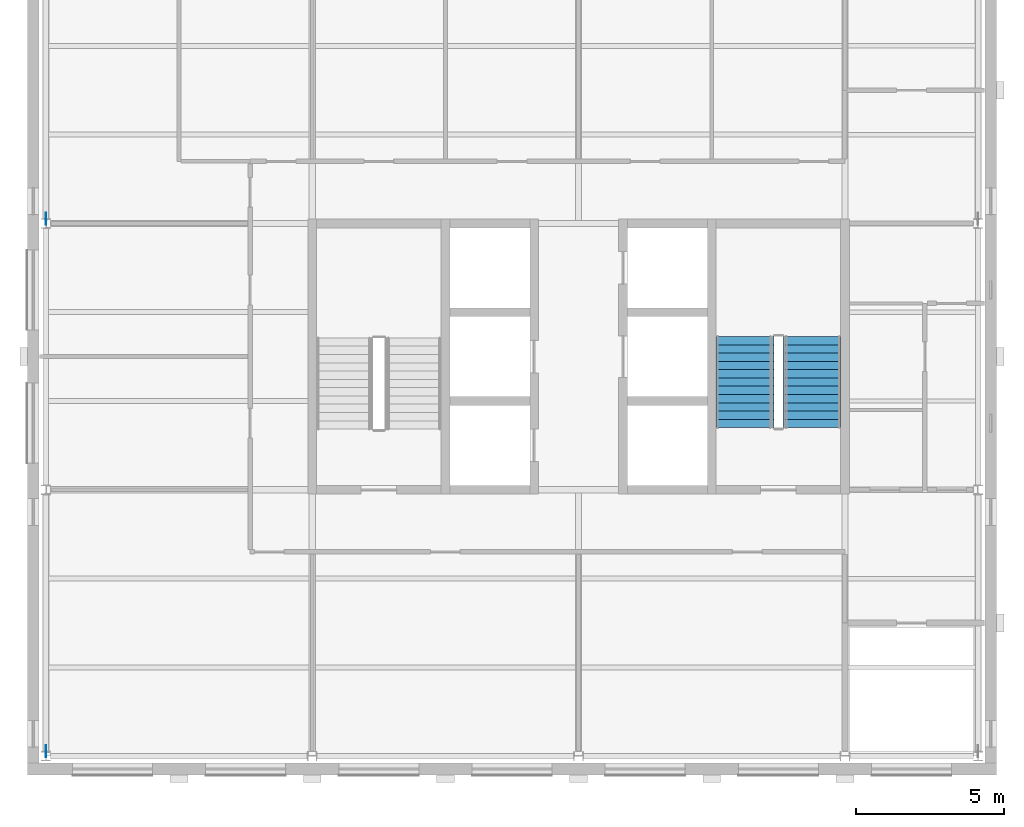
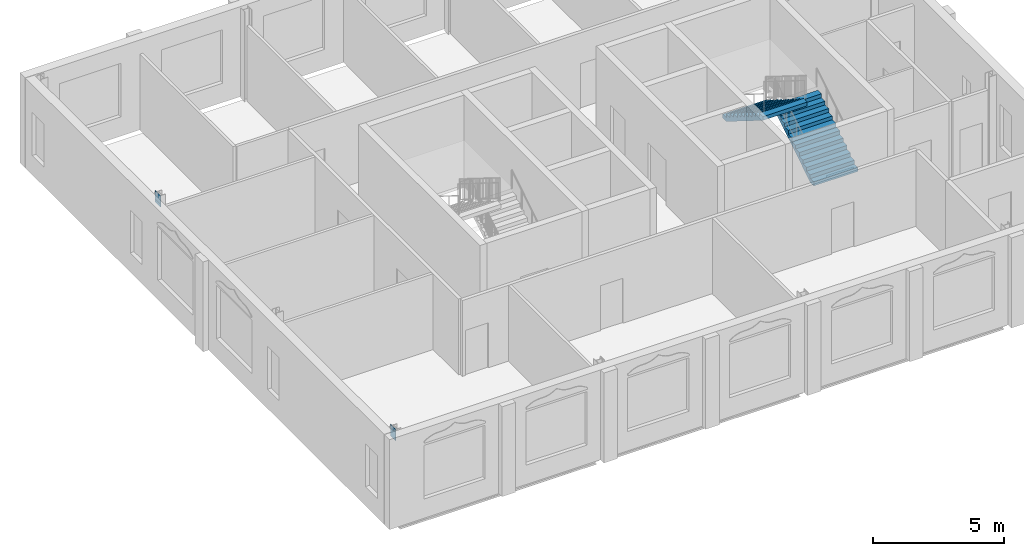
# One storey, part 6 of 9: 4 discrete accessories, 2 stair flights, 1 element without a shape of its own.
"""IFC4 building model written with IfcOpenShell, lengths in metres."""

from ifc_helpers import new_model, si_unit, direction, frame, origin, origin_2d, place, context, subcontext, project, spatial, polyline, rectangle, outline, extrude, material, layer, layer_set, type_object, element, aggregate, save


model = new_model("IFC4")

# Units and contexts
model_context = context("Model", 3, precision=1e-05, world=origin(), true_north=direction((0.0, 1.0)))
body_context = subcontext(model_context, "Body", "Model", "MODEL_VIEW")
ifc_project = project(units=[si_unit("LENGTHUNIT", "METRE"), si_unit("AREAUNIT", "SQUARE_METRE"), si_unit("VOLUMEUNIT", "CUBIC_METRE"), si_unit("PLANEANGLEUNIT", "RADIAN"), si_unit("MASSUNIT", "GRAM", prefix="KILO")], contexts=[model_context])

# Site, building, storey
site_placement = place(None, origin())
site = spatial("IfcSite", under=ifc_project, at=site_placement, CompositionType="ELEMENT")
building_placement = place(site_placement, origin())
building = spatial("IfcBuilding", under=site, at=building_placement, Name="Hortulan Conservatory and Botanical Research Centre", CompositionType="ELEMENT")
storey_placement = place(building_placement, frame((0.0, 0.0, 52.800048828125)))
storey = spatial("IfcBuildingStorey", under=building, at=storey_placement, Name="L12", CompositionType="ELEMENT", Elevation=52.800048828125)

# Stair, stair flights
ifc_material_1 = material(Name="Concrete N40 (40 MPa, AS 3600)", Category="concrete")
stair_type = type_object("IfcStairType", Name="Concrete Escape Stair 1950", PredefinedType="HALF_TURN_STAIR", material=ifc_material_1)
stair_placement = place(storey_placement, origin())
stair = element("IfcStair", 1, at=stair_placement, inside=storey, type_object=stair_type, Name="Stair T2 L12", PredefinedType="HALF_TURN_STAIR")
ifc_layer = layer(ifc_material_1, 0.14990234375)
ifc_layer_set = layer_set([ifc_layer], Name="Stair Flight 1950 wide, riser 175")
stair_flight_type = type_object("IfcStairFlightType", Name="Stair Flight 1950 wide, riser 175", PredefinedType="STRAIGHT", material=ifc_layer_set)
stair_flight_1_placement = place(storey_placement, frame((25.875, 11.10009765625, 0.0), z_axis=(0.0, 0.0, 1.0), x_axis=(0.0, 1.0, 0.0)))
stair_flight_1 = element("IfcStairFlight", 2, at=stair_flight_1_placement, type_object=stair_flight_type, Name="Stair T2 L12 flight 1", NumberOfRisers=12, NumberOfTreads=11, PredefinedType="STRAIGHT", RiserHeight=0.175, TreadLength=0.28, context=body_context, shape_type="SweptSolid", body=[
    extrude(outline(polyline([(0.0, 0.0), (0.0, 0.175048828125), (0.280029296875, 0.175048828125), (0.280029296875, 0.35009765625), (0.56005859375, 0.35009765625), (0.56005859375, 0.52490234375), (0.840087890625, 0.52490234375), (0.840087890625, 0.699951171875), (1.1201171875, 0.699951171875), (1.1201171875, 0.875), (1.39990234375, 0.875), (1.39990234375, 1.050048828125), (1.679931640625, 1.050048828125), (1.679931640625, 1.22509765625), (1.9599609375, 1.22509765625), (1.9599609375, 1.39990234375), (2.239990234375, 1.39990234375), (2.239990234375, 1.574951171875), (2.52001953125, 1.574951171875), (2.52001953125, 1.75), (2.800048828125, 1.75), (2.800048828125, 1.925048828125), (3.080078125, 1.925048828125), (3.080078125, 2.10009765625), (3.080078125, 1.748291015625), (0.28271484375, 0.0), (0.0, 0.0)])), frame((0.0, 0.97509765625, 0.0), z_axis=(0.0, -1.0, 0.0), x_axis=(1.0, 0.0, 0.0)), (0.0, 0.0, 1.0), 1.949951171875),
])
stair_flight_2_placement = place(storey_placement, frame((23.625, 14.179931640625, 2.099853515625), z_axis=(0.0, 0.0, 1.0), x_axis=(0.0, -1.0, 0.0)))
stair_flight_2 = element("IfcStairFlight", 3, at=stair_flight_2_placement, type_object=stair_flight_type, Name="Stair T2 L12 flight 2", NumberOfRisers=12, NumberOfTreads=11, PredefinedType="STRAIGHT", RiserHeight=0.175, TreadLength=0.28, context=body_context, shape_type="SweptSolid", body=[
    extrude(outline(polyline([(0.0, 0.0), (0.0, 0.175048828125), (0.280029296875, 0.175048828125), (0.280029296875, 0.35009765625), (0.56005859375, 0.35009765625), (0.56005859375, 0.52490234375), (0.840087890625, 0.52490234375), (0.840087890625, 0.699951171875), (1.1201171875, 0.699951171875), (1.1201171875, 0.875), (1.39990234375, 0.875), (1.39990234375, 1.050048828125), (1.679931640625, 1.050048828125), (1.679931640625, 1.22509765625), (1.9599609375, 1.22509765625), (1.9599609375, 1.39990234375), (2.239990234375, 1.39990234375), (2.239990234375, 1.574951171875), (2.52001953125, 1.574951171875), (2.52001953125, 1.75), (2.800048828125, 1.75), (2.800048828125, 1.925048828125), (3.080078125, 1.925048828125), (3.080078125, 2.10009765625), (3.080078125, 1.748291015625), (0.28271484375, 0.0), (0.0, 0.0)])), frame((0.0, 0.97509765625, 0.0), z_axis=(0.0, -1.0, 0.0), x_axis=(1.0, 0.0, 0.0)), (0.0, 0.0, 1.0), 1.949951171875),
])
aggregate(stair, [stair_flight_1, stair_flight_2])

# Discrete accessories
ifc_material_2 = material(Name="Steel Grade 300 plate (AS/NZS 3678, 280 MPa minimum yield)", Category="steel")
discrete_accessory_type = type_object("IfcDiscreteAccessoryType", Name="End Plate 400x16", PredefinedType="BRACKET", material=ifc_material_2)
for number, where, z_axis, x_axis, name in (
    (4, (0.0, 0.160400390625, 3.566650390625), (0.0, 0.0, 1.0), (0.0, -1.0, 0.0), "Brace end plate"),
    (5, (0.0, 0.160400390625, 3.71630859375), (0.0, 0.0, 1.0), (0.0, -1.0, 0.0), "Brace end plate"),
    (6, (0.0, 18.160400390625, 3.566650390625), (0.0, 0.0, 1.0), (0.0, -1.0, 0.0), "Brace end plate"),
    (7, (0.0, 18.160400390625, 3.71630859375), (0.0, 0.0, 1.0), (0.0, -1.0, 0.0), "Brace end plate"),
):
    element("IfcDiscreteAccessory", number, at=place(storey_placement, frame(where, z_axis=z_axis, x_axis=x_axis)), inside=storey, type_object=discrete_accessory_type, Name=name, PredefinedType="BRACKET", context=body_context, shape_type="SweptSolid", body=[
        extrude(rectangle(XDim=0.39990234375, YDim=0.01611328125, at=origin_2d()), origin(), (0.0, 0.0, 1.0), 0.39990234375),
    ])

save(model, "model.ifc")
